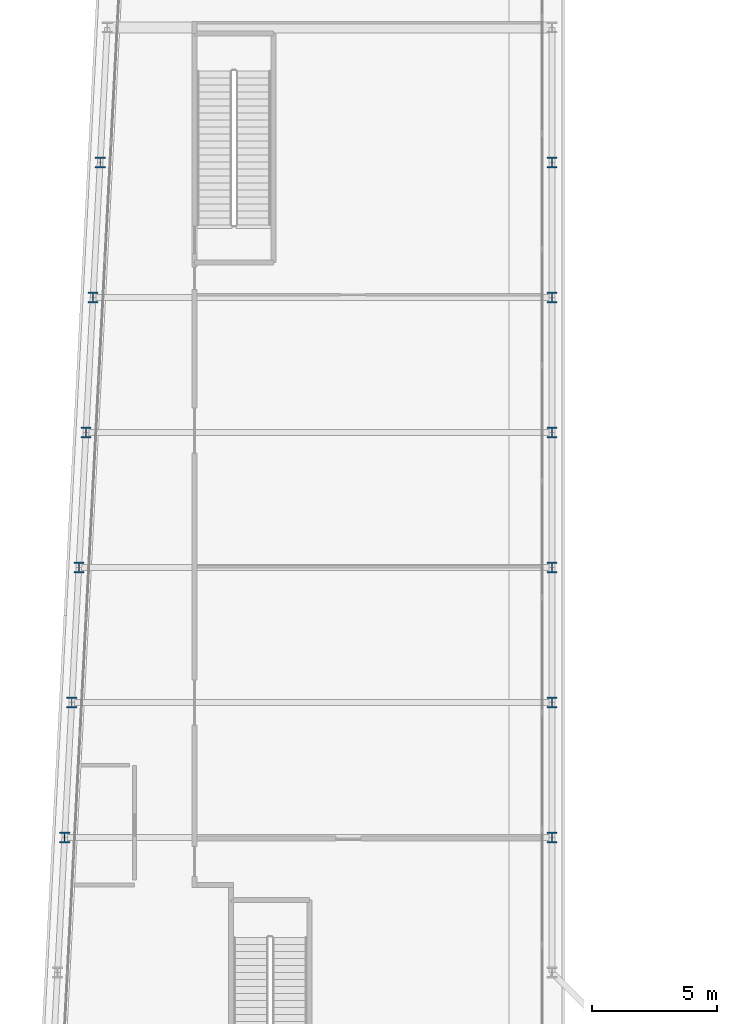
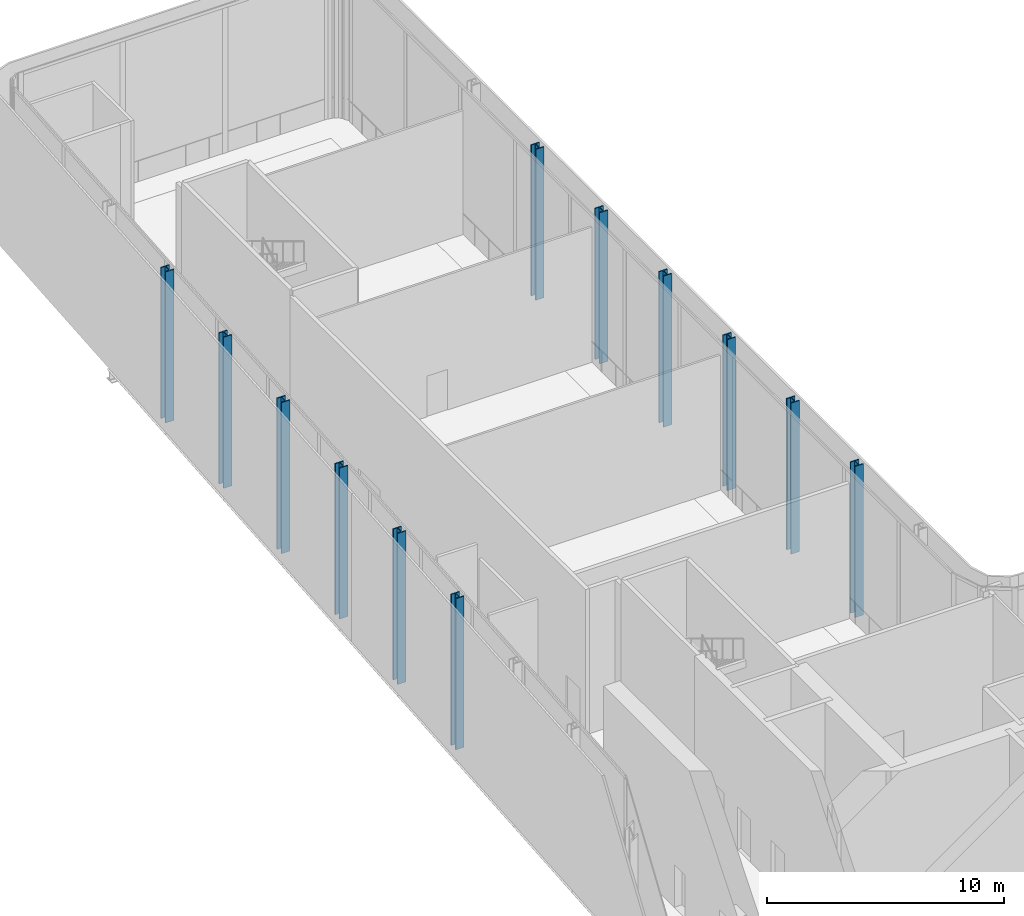
# One storey, part 3 of 37: 12 columns.
"""IFC4 building model written with IfcOpenShell, lengths in metres."""

from ifc_helpers import new_model, si_unit, direction, frame, origin, origin_2d, place, context, subcontext, project, spatial, i_section, extrude, material, material_profile, profile_set, type_object, element, save


model = new_model("IFC4")

# Units and contexts
model_context = context("Model", 3, precision=1e-05, world=origin(), true_north=direction((0.0, 1.0)))
body_context = subcontext(model_context, "Body", "Model", "MODEL_VIEW")
ifc_project = project(units=[si_unit("LENGTHUNIT", "METRE"), si_unit("AREAUNIT", "SQUARE_METRE"), si_unit("VOLUMEUNIT", "CUBIC_METRE"), si_unit("PLANEANGLEUNIT", "RADIAN"), si_unit("MASSUNIT", "GRAM", prefix="KILO")], contexts=[model_context])

# Site, building, storey
site_placement = place(None, origin())
site = spatial("IfcSite", under=ifc_project, at=site_placement, CompositionType="ELEMENT")
building_placement = place(site_placement, origin())
building = spatial("IfcBuilding", under=site, at=building_placement, Name="Kheshtan School and Residences Tower", CompositionType="ELEMENT")
storey_placement = place(building_placement, frame((0.0, 0.0, 144.800048828125)))
storey = spatial("IfcBuildingStorey", under=building, at=storey_placement, Name="L34", CompositionType="ELEMENT", Elevation=144.800048828125)

# Columns
ifc_material = material(Name="Steel ASTM A992 Grade 50", Category="steel")
ifc_material_profile = material_profile(ifc_material, i_section(OverallWidth=0.408935546875, OverallDepth=0.425048828125, WebThickness=0.03271484375, FlangeThickness=0.052490234375, FilletRadius=0.0126953125, at=origin_2d()), Name="W360x421")
ifc_profile_set = profile_set([ifc_material_profile], Name="Steel ASTM A992 Grade 50")
column_type = type_object("IfcColumnType", Name="Column C3 W360x421 ASTM A992 Grade 50", PredefinedType="COLUMN", material=ifc_profile_set)
for number, where, z_axis, x_axis, name in (
    (1, (28.10595703125, 56.39990234375, 0.0), (0.0, 0.0, 1.0), (1.0, 0.0, 0.0), "Column C080"),
    (2, (47.60009765625, 56.39990234375, 0.0), (0.0, 0.0, 1.0), (1.0, 0.0, 0.0), "Column C081"),
    (3, (28.389892578125, 61.800048828125, 0.0), (0.0, 0.0, 1.0), (1.0, 0.0, 0.0), "Column C082"),
    (4, (47.60009765625, 61.800048828125, 0.0), (0.0, 0.0, 1.0), (1.0, 0.0, 0.0), "Column C083"),
    (5, (28.674072265625, 67.199951171875, 0.0), (0.0, 0.0, 1.0), (1.0, 0.0, 0.0), "Column C084"),
    (6, (47.60009765625, 67.199951171875, 0.0), (0.0, 0.0, 1.0), (1.0, 0.0, 0.0), "Column C085"),
    (7, (28.9580078125, 72.60009765625, 0.0), (0.0, 0.0, 1.0), (1.0, 0.0, 0.0), "Column C086"),
    (8, (47.60009765625, 72.60009765625, 0.0), (0.0, 0.0, 1.0), (1.0, 0.0, 0.0), "Column C087"),
    (9, (29.242919921875, 78.0, 0.0), (0.0, 0.0, 1.0), (1.0, 0.0, 0.0), "Column C088"),
    (10, (47.60009765625, 78.0, 0.0), (0.0, 0.0, 1.0), (1.0, 0.0, 0.0), "Column C089"),
    (11, (29.527099609375, 83.39990234375, 0.0), (0.0, 0.0, 1.0), (1.0, 0.0, 0.0), "Column C090"),
    (12, (47.60009765625, 83.39990234375, 0.0), (0.0, 0.0, 1.0), (1.0, 0.0, 0.0), "Column C091"),
):
    element("IfcColumn", number, at=place(storey_placement, frame(where, z_axis=z_axis, x_axis=x_axis)), inside=storey, type_object=column_type, Name=name, PredefinedType="COLUMN", context=body_context, shape_type="SweptSolid", body=[
        extrude(i_section(OverallWidth=0.408935546875, OverallDepth=0.425048828125, WebThickness=0.03271484375, FlangeThickness=0.052490234375, FilletRadius=0.0126953125, at=origin_2d()), origin(), (0.0, 0.0, 1.0), 7.800048828125),
    ])

save(model, "model.ifc")
